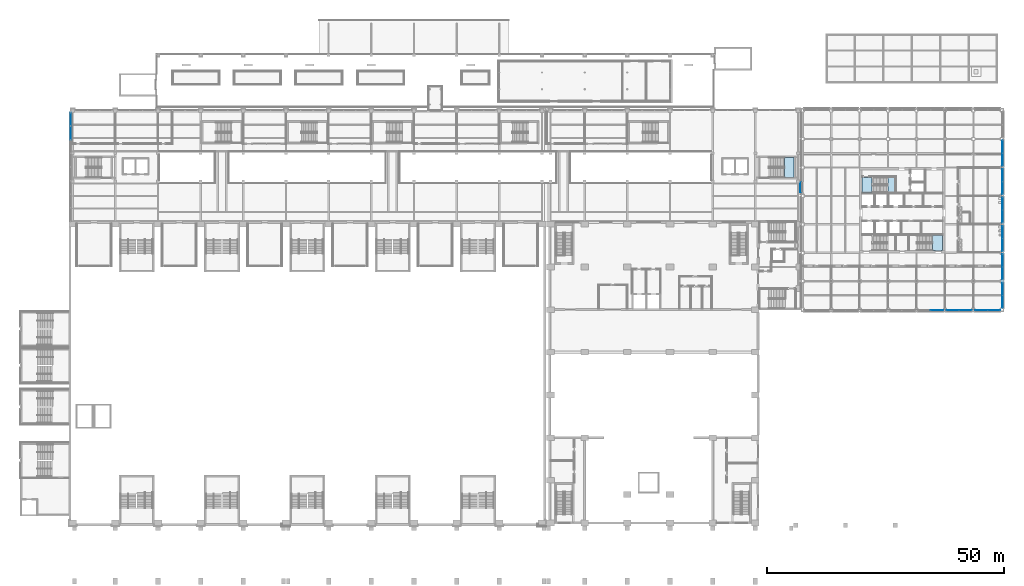
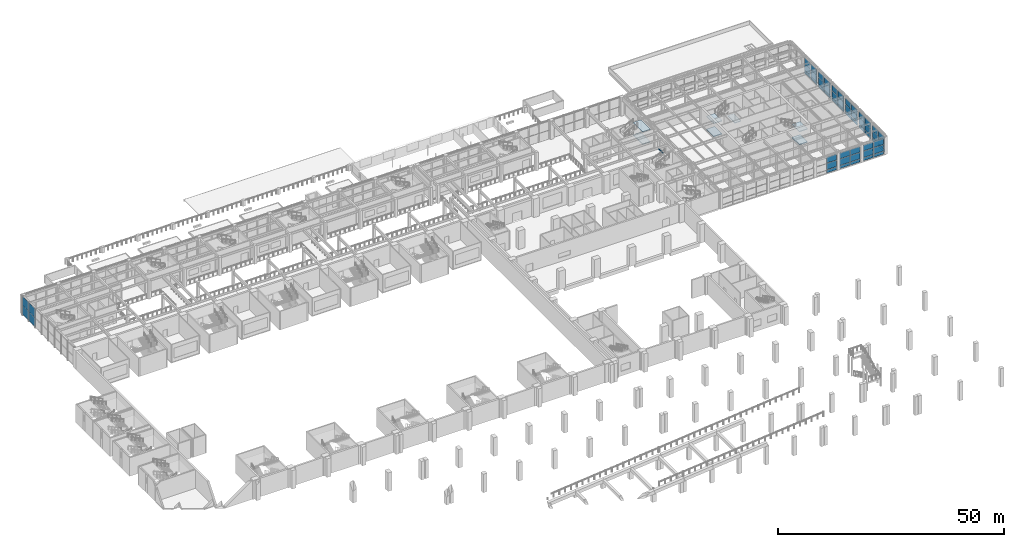
# One storey, part 30 of 67: 56 plates, 7 slabs, 13 elements without a shape of their own.
"""IFC4 building model written with IfcOpenShell, lengths in metres."""

from ifc_helpers import new_model, si_unit, direction, frame, origin, origin_2d, place, context, subcontext, project, spatial, polyline, rectangle, outline, extrude, material, layer, layer_set, type_object, element, aggregate, save


model = new_model("IFC4")

# Units and contexts
model_context = context("Model", 3, precision=1e-05, world=origin(), true_north=direction((0.0, 1.0)))
body_context = subcontext(model_context, "Body", "Model", "MODEL_VIEW")
ifc_project = project(units=[si_unit("LENGTHUNIT", "METRE"), si_unit("AREAUNIT", "SQUARE_METRE"), si_unit("VOLUMEUNIT", "CUBIC_METRE"), si_unit("PLANEANGLEUNIT", "RADIAN"), si_unit("MASSUNIT", "GRAM", prefix="KILO")], contexts=[model_context])

# Site, building, storey
site_placement = place(None, origin())
site = spatial("IfcSite", under=ifc_project, at=site_placement, CompositionType="ELEMENT")
building_placement = place(site_placement, origin())
building = spatial("IfcBuilding", under=site, at=building_placement, Name="Aravalli Gate Trade Fair Centre", CompositionType="ELEMENT")
storey_placement = place(building_placement, frame((0.0, 0.0, 5.0)))
storey = spatial("IfcBuildingStorey", under=building, at=storey_placement, Name="L01", CompositionType="ELEMENT", Elevation=5.0)

# Stair, slabs
ifc_material_1 = material(Name="Concrete M30", Category="concrete")
stair_type_1 = type_object("IfcStairType", Name="Concourse stair, 2000 wide", PredefinedType="HALF_TURN_STAIR", material=ifc_material_1)
stair_1_placement = place(storey_placement, origin())
stair_1 = element("IfcStair", 1, at=stair_1_placement, inside=storey, type_object=stair_type_1, Name="Stair ES L01", PredefinedType="HALF_TURN_STAIR")
ifc_layer_1 = layer(ifc_material_1, 0.199951171875)
ifc_layer_set_1 = layer_set([ifc_layer_1], Name="Concrete M30")
slab_type_1 = type_object("IfcSlabType", Name="Concourse stair landing 200", PredefinedType="LANDING", material=ifc_layer_set_1)
slab_1_placement = place(storey_placement, frame((0.0, 0.0, 1.466796875)))
slab_1 = element("IfcSlab", 2, at=slab_1_placement, type_object=slab_type_1, Name="STES-L01 landing 1", PredefinedType="LANDING", context=body_context, shape_type="SweptSolid", body=[
    extrude(outline(polyline([(156.199951171875, 118.89990234375), (158.199951171875, 118.89990234375), (158.199951171875, 123.10009765625), (156.199951171875, 123.10009765625), (156.199951171875, 118.89990234375)])), origin(), (0.0, 0.0, 1.0), 0.199951171875),
])
slab_2_placement = place(storey_placement, frame((0.0, 0.0, 4.800048828125)))
slab_2 = element("IfcSlab", 3, at=slab_2_placement, type_object=slab_type_1, Name="STES-L01 landing 3", PredefinedType="LANDING", context=body_context, shape_type="SweptSolid", body=[
    extrude(outline(polyline([(156.199951171875, 118.89990234375), (158.199951171875, 118.89990234375), (158.199951171875, 123.10009765625), (156.199951171875, 123.10009765625), (156.199951171875, 118.89990234375)])), origin(), (0.0, 0.0, 1.0), 0.199951171875),
])
aggregate(stair_1, [slab_1, slab_2])

# Curtain wall, plates
ifc_material_2 = material(Name="Aluminium and glass", Category="aluminium")
curtain_wall_type_1 = type_object("IfcCurtainWallType", Name="Curtain wall 3000 module, tall", PredefinedType="NOTDEFINED", material=ifc_material_2)
curtain_wall_1_placement = place(storey_placement, origin())
curtain_wall_1 = element("IfcCurtainWall", 4, at=curtain_wall_1_placement, inside=storey, type_object=curtain_wall_type_1, Name="Curtain wall west end L01", PredefinedType="NOTDEFINED")
ifc_material_3 = material(Name="Glass, double glazed", Category="glass")
ifc_layer_2 = layer(ifc_material_3, 0.028076171875)
ifc_layer_set_2 = layer_set([ifc_layer_2], Name="Glass, double glazed")
plate_type_1 = type_object("IfcPlateType", Name="Curtain wall panel, double glazed 28", PredefinedType="CURTAIN_PANEL", material=ifc_layer_set_2)
plate_1_placement = place(storey_placement, frame((5.574951171875, 128.28759765625, 0.06005859375), z_axis=(0.0, 0.0, 1.0), x_axis=(0.0, 1.0, 0.0)))
plate_1 = element("IfcPlate", 5, at=plate_1_placement, type_object=plate_type_1, Name="CW3 panel 7.1", PredefinedType="CURTAIN_PANEL", context=body_context, shape_type="SweptSolid", body=[
    extrude(rectangle(XDim=2.81494140625, YDim=0.028076171875, at=origin_2d()), origin(), (0.0, 0.0, 1.0), 2.409912109375),
])
plate_2_placement = place(storey_placement, frame((5.574951171875, 128.28759765625, 2.5302734375), z_axis=(0.0, 0.0, 1.0), x_axis=(0.0, 1.0, 0.0)))
plate_2 = element("IfcPlate", 6, at=plate_2_placement, type_object=plate_type_1, Name="CW3 panel 7.2", PredefinedType="CURTAIN_PANEL", context=body_context, shape_type="SweptSolid", body=[
    extrude(rectangle(XDim=2.81494140625, YDim=0.028076171875, at=origin_2d()), origin(), (0.0, 0.0, 1.0), 2.409912109375),
])
plate_3_placement = place(storey_placement, frame((5.574951171875, 131.1474609375, 0.06005859375), z_axis=(0.0, 0.0, 1.0), x_axis=(0.0, 1.0, 0.0)))
plate_3 = element("IfcPlate", 7, at=plate_3_placement, type_object=plate_type_1, Name="CW3 panel 8.1", PredefinedType="CURTAIN_PANEL", context=body_context, shape_type="SweptSolid", body=[
    extrude(rectangle(XDim=2.784912109375, YDim=0.028076171875, at=origin_2d()), origin(), (0.0, 0.0, 1.0), 2.409912109375),
])
plate_4_placement = place(storey_placement, frame((5.574951171875, 131.1474609375, 2.5302734375), z_axis=(0.0, 0.0, 1.0), x_axis=(0.0, 1.0, 0.0)))
plate_4 = element("IfcPlate", 8, at=plate_4_placement, type_object=plate_type_1, Name="CW3 panel 8.2", PredefinedType="CURTAIN_PANEL", context=body_context, shape_type="SweptSolid", body=[
    extrude(rectangle(XDim=2.784912109375, YDim=0.028076171875, at=origin_2d()), origin(), (0.0, 0.0, 1.0), 2.409912109375),
])
aggregate(curtain_wall_1, [plate_1, plate_2, plate_3, plate_4])

# Stair, slabs
stair_type_2 = type_object("IfcStairType", Name="Wing core stair", PredefinedType="HALF_TURN_STAIR", material=ifc_material_1)
stair_2_placement = place(storey_placement, origin())
stair_2 = element("IfcStair", 9, at=stair_2_placement, inside=storey, type_object=stair_type_2, Name="Stair S1 L01", PredefinedType="HALF_TURN_STAIR")
ifc_layer_3 = layer(ifc_material_1, 0.199951171875)
ifc_layer_set_3 = layer_set([ifc_layer_3], Name="Concrete M30")
slab_type_2 = type_object("IfcSlabType", Name="Wing core stair landing 200", PredefinedType="LANDING", material=ifc_layer_set_3)
slab_3_placement = place(storey_placement, frame((0.0, 0.0, -0.199951171875)))
slab_3 = element("IfcSlab", 10, at=slab_3_placement, type_object=slab_type_2, Name="TST1 landing 1", PredefinedType="LANDING", context=body_context, shape_type="SweptSolid", body=[
    extrude(outline(polyline([(187.35009765625, 103.5), (189.5, 103.5), (189.5, 106.699951171875), (187.35009765625, 106.699951171875), (187.35009765625, 103.5)])), origin(), (0.0, 0.0, 1.0), 0.199951171875),
])
slab_4_placement = place(storey_placement, frame((0.0, 0.0, 3.329345703125)))
slab_4 = element("IfcSlab", 11, at=slab_4_placement, type_object=slab_type_2, Name="TST1 landing 3", PredefinedType="LANDING", context=body_context, shape_type="SweptSolid", body=[
    extrude(outline(polyline([(187.35009765625, 103.5), (189.5, 103.5), (189.5, 106.699951171875), (187.35009765625, 106.699951171875), (187.35009765625, 103.5)])), origin(), (0.0, 0.0, 1.0), 0.199951171875),
])
aggregate(stair_2, [slab_3, slab_4])

stair_3_placement = place(storey_placement, origin())
stair_3 = element("IfcStair", 12, at=stair_3_placement, inside=storey, type_object=stair_type_2, Name="Stair FFS L01", PredefinedType="HALF_TURN_STAIR")
slab_5_placement = place(storey_placement, frame((0.0, 0.0, -0.199951171875)))
slab_5 = element("IfcSlab", 13, at=slab_5_placement, type_object=slab_type_2, Name="TST1 landing 1", PredefinedType="LANDING", context=body_context, shape_type="SweptSolid", body=[
    extrude(outline(polyline([(172.5, 115.699951171875), (174.64990234375, 115.699951171875), (174.64990234375, 118.89990234375), (172.5, 118.89990234375), (172.5, 115.699951171875)])), origin(), (0.0, 0.0, 1.0), 0.199951171875),
])
slab_6_placement = place(storey_placement, frame((0.0, 0.0, 1.564697265625)))
slab_6 = element("IfcSlab", 14, at=slab_6_placement, type_object=slab_type_2, Name="TST1 landing 2", PredefinedType="LANDING", context=body_context, shape_type="SweptSolid", body=[
    extrude(outline(polyline([(177.949951171875, 115.699951171875), (179.5, 115.699951171875), (179.5, 118.89990234375), (177.949951171875, 118.89990234375), (177.949951171875, 115.699951171875)])), origin(), (0.0, 0.0, 1.0), 0.199951171875),
])
slab_7_placement = place(storey_placement, frame((0.0, 0.0, 3.329345703125)))
slab_7 = element("IfcSlab", 15, at=slab_7_placement, type_object=slab_type_2, Name="TST1 landing 3", PredefinedType="LANDING", context=body_context, shape_type="SweptSolid", body=[
    extrude(outline(polyline([(172.5, 115.699951171875), (174.64990234375, 115.699951171875), (174.64990234375, 118.89990234375), (172.5, 118.89990234375), (172.5, 115.699951171875)])), origin(), (0.0, 0.0, 1.0), 0.199951171875),
])
aggregate(stair_3, [slab_5, slab_6, slab_7])

# Curtain wall, plates
curtain_wall_type_2 = type_object("IfcCurtainWallType", Name="Wing curtain wall", PredefinedType="NOTDEFINED", material=ifc_material_2)
curtain_wall_2_placement = place(storey_placement, origin())
curtain_wall_2 = element("IfcCurtainWall", 16, at=curtain_wall_2_placement, inside=storey, type_object=curtain_wall_type_2, Name="Curtain wall S4 L01", PredefinedType="NOTDEFINED")
ifc_material_4 = material(Name="Glass", Category="glass")
ifc_layer_4 = layer(ifc_material_4, 0.028076171875)
ifc_layer_set_4 = layer_set([ifc_layer_4], Name="Glass")
plate_type_2 = type_object("IfcPlateType", Name="Wing curtain wall glazing panel 28", PredefinedType="CURTAIN_PANEL", material=ifc_layer_set_4)
plate_5_placement = place(storey_placement, frame((188.3349609375, 90.875, 0.06005859375), z_axis=(0.0, 0.0, 1.0), x_axis=(1.0, 0.0, 0.0)))
plate_5 = element("IfcPlate", 17, at=plate_5_placement, type_object=plate_type_2, Name="TCW1 panel 2.1", PredefinedType="CURTAIN_PANEL", context=body_context, shape_type="SweptSolid", body=[
    extrude(rectangle(XDim=2.610107421875, YDim=0.028076171875, at=origin_2d()), origin(), (0.0, 0.0, 1.0), 0.81005859375),
])
plate_6_placement = place(storey_placement, frame((188.3349609375, 90.875, 0.93017578125), z_axis=(0.0, 0.0, 1.0), x_axis=(1.0, 0.0, 0.0)))
plate_6 = element("IfcPlate", 18, at=plate_6_placement, type_object=plate_type_2, Name="TCW1 panel 2.2", PredefinedType="CURTAIN_PANEL", context=body_context, shape_type="SweptSolid", body=[
    extrude(rectangle(XDim=2.610107421875, YDim=0.028076171875, at=origin_2d()), origin(), (0.0, 0.0, 1.0), 1.739990234375),
])
plate_7_placement = place(storey_placement, frame((188.3349609375, 90.875, 2.72998046875), z_axis=(0.0, 0.0, 1.0), x_axis=(1.0, 0.0, 0.0)))
plate_7 = element("IfcPlate", 19, at=plate_7_placement, type_object=plate_type_2, Name="TCW1 panel 2.3", PredefinedType="CURTAIN_PANEL", context=body_context, shape_type="SweptSolid", body=[
    extrude(rectangle(XDim=2.610107421875, YDim=0.028076171875, at=origin_2d()), origin(), (0.0, 0.0, 1.0), 1.56005859375),
])
aggregate(curtain_wall_2, [plate_5, plate_6, plate_7])

curtain_wall_3_placement = place(storey_placement, origin())
curtain_wall_3 = element("IfcCurtainWall", 20, at=curtain_wall_3_placement, inside=storey, type_object=curtain_wall_type_2, Name="Curtain wall S5 L01", PredefinedType="NOTDEFINED")
plate_8_placement = place(storey_placement, frame((191.6650390625, 90.875, 0.06005859375), z_axis=(0.0, 0.0, 1.0), x_axis=(1.0, 0.0, 0.0)))
plate_8 = element("IfcPlate", 21, at=plate_8_placement, type_object=plate_type_2, Name="TCW1 panel 1.1", PredefinedType="CURTAIN_PANEL", context=body_context, shape_type="SweptSolid", body=[
    extrude(rectangle(XDim=2.610107421875, YDim=0.028076171875, at=origin_2d()), origin(), (0.0, 0.0, 1.0), 0.81005859375),
])
plate_9_placement = place(storey_placement, frame((191.6650390625, 90.875, 0.93017578125), z_axis=(0.0, 0.0, 1.0), x_axis=(1.0, 0.0, 0.0)))
plate_9 = element("IfcPlate", 22, at=plate_9_placement, type_object=plate_type_2, Name="TCW1 panel 1.2", PredefinedType="CURTAIN_PANEL", context=body_context, shape_type="SweptSolid", body=[
    extrude(rectangle(XDim=2.610107421875, YDim=0.028076171875, at=origin_2d()), origin(), (0.0, 0.0, 1.0), 1.739990234375),
])
plate_10_placement = place(storey_placement, frame((191.6650390625, 90.875, 2.72998046875), z_axis=(0.0, 0.0, 1.0), x_axis=(1.0, 0.0, 0.0)))
plate_10 = element("IfcPlate", 23, at=plate_10_placement, type_object=plate_type_2, Name="TCW1 panel 1.3", PredefinedType="CURTAIN_PANEL", context=body_context, shape_type="SweptSolid", body=[
    extrude(rectangle(XDim=2.610107421875, YDim=0.028076171875, at=origin_2d()), origin(), (0.0, 0.0, 1.0), 1.56005859375),
])
plate_11_placement = place(storey_placement, frame((194.3349609375, 90.875, 0.06005859375), z_axis=(0.0, 0.0, 1.0), x_axis=(1.0, 0.0, 0.0)))
plate_11 = element("IfcPlate", 24, at=plate_11_placement, type_object=plate_type_2, Name="TCW1 panel 2.1", PredefinedType="CURTAIN_PANEL", context=body_context, shape_type="SweptSolid", body=[
    extrude(rectangle(XDim=2.610107421875, YDim=0.028076171875, at=origin_2d()), origin(), (0.0, 0.0, 1.0), 0.81005859375),
])
plate_12_placement = place(storey_placement, frame((194.3349609375, 90.875, 0.93017578125), z_axis=(0.0, 0.0, 1.0), x_axis=(1.0, 0.0, 0.0)))
plate_12 = element("IfcPlate", 25, at=plate_12_placement, type_object=plate_type_2, Name="TCW1 panel 2.2", PredefinedType="CURTAIN_PANEL", context=body_context, shape_type="SweptSolid", body=[
    extrude(rectangle(XDim=2.610107421875, YDim=0.028076171875, at=origin_2d()), origin(), (0.0, 0.0, 1.0), 1.739990234375),
])
plate_13_placement = place(storey_placement, frame((194.3349609375, 90.875, 2.72998046875), z_axis=(0.0, 0.0, 1.0), x_axis=(1.0, 0.0, 0.0)))
plate_13 = element("IfcPlate", 26, at=plate_13_placement, type_object=plate_type_2, Name="TCW1 panel 2.3", PredefinedType="CURTAIN_PANEL", context=body_context, shape_type="SweptSolid", body=[
    extrude(rectangle(XDim=2.610107421875, YDim=0.028076171875, at=origin_2d()), origin(), (0.0, 0.0, 1.0), 1.56005859375),
])
aggregate(curtain_wall_3, [plate_8, plate_9, plate_10, plate_11, plate_12, plate_13])

curtain_wall_4_placement = place(storey_placement, origin())
curtain_wall_4 = element("IfcCurtainWall", 27, at=curtain_wall_4_placement, inside=storey, type_object=curtain_wall_type_2, Name="Curtain wall S6 L01", PredefinedType="NOTDEFINED")
plate_14_placement = place(storey_placement, frame((197.6650390625, 90.875, 0.06005859375), z_axis=(0.0, 0.0, 1.0), x_axis=(1.0, 0.0, 0.0)))
plate_14 = element("IfcPlate", 28, at=plate_14_placement, type_object=plate_type_2, Name="TCW1 panel 1.1", PredefinedType="CURTAIN_PANEL", context=body_context, shape_type="SweptSolid", body=[
    extrude(rectangle(XDim=2.610107421875, YDim=0.028076171875, at=origin_2d()), origin(), (0.0, 0.0, 1.0), 0.81005859375),
])
plate_15_placement = place(storey_placement, frame((197.6650390625, 90.875, 0.93017578125), z_axis=(0.0, 0.0, 1.0), x_axis=(1.0, 0.0, 0.0)))
plate_15 = element("IfcPlate", 29, at=plate_15_placement, type_object=plate_type_2, Name="TCW1 panel 1.2", PredefinedType="CURTAIN_PANEL", context=body_context, shape_type="SweptSolid", body=[
    extrude(rectangle(XDim=2.610107421875, YDim=0.028076171875, at=origin_2d()), origin(), (0.0, 0.0, 1.0), 1.739990234375),
])
plate_16_placement = place(storey_placement, frame((197.6650390625, 90.875, 2.72998046875), z_axis=(0.0, 0.0, 1.0), x_axis=(1.0, 0.0, 0.0)))
plate_16 = element("IfcPlate", 30, at=plate_16_placement, type_object=plate_type_2, Name="TCW1 panel 1.3", PredefinedType="CURTAIN_PANEL", context=body_context, shape_type="SweptSolid", body=[
    extrude(rectangle(XDim=2.610107421875, YDim=0.028076171875, at=origin_2d()), origin(), (0.0, 0.0, 1.0), 1.56005859375),
])
plate_17_placement = place(storey_placement, frame((200.3349609375, 90.875, 0.06005859375), z_axis=(0.0, 0.0, 1.0), x_axis=(1.0, 0.0, 0.0)))
plate_17 = element("IfcPlate", 31, at=plate_17_placement, type_object=plate_type_2, Name="TCW1 panel 2.1", PredefinedType="CURTAIN_PANEL", context=body_context, shape_type="SweptSolid", body=[
    extrude(rectangle(XDim=2.610107421875, YDim=0.028076171875, at=origin_2d()), origin(), (0.0, 0.0, 1.0), 0.81005859375),
])
plate_18_placement = place(storey_placement, frame((200.3349609375, 90.875, 0.93017578125), z_axis=(0.0, 0.0, 1.0), x_axis=(1.0, 0.0, 0.0)))
plate_18 = element("IfcPlate", 32, at=plate_18_placement, type_object=plate_type_2, Name="TCW1 panel 2.2", PredefinedType="CURTAIN_PANEL", context=body_context, shape_type="SweptSolid", body=[
    extrude(rectangle(XDim=2.610107421875, YDim=0.028076171875, at=origin_2d()), origin(), (0.0, 0.0, 1.0), 1.739990234375),
])
plate_19_placement = place(storey_placement, frame((200.3349609375, 90.875, 2.72998046875), z_axis=(0.0, 0.0, 1.0), x_axis=(1.0, 0.0, 0.0)))
plate_19 = element("IfcPlate", 33, at=plate_19_placement, type_object=plate_type_2, Name="TCW1 panel 2.3", PredefinedType="CURTAIN_PANEL", context=body_context, shape_type="SweptSolid", body=[
    extrude(rectangle(XDim=2.610107421875, YDim=0.028076171875, at=origin_2d()), origin(), (0.0, 0.0, 1.0), 1.56005859375),
])
aggregate(curtain_wall_4, [plate_14, plate_15, plate_16, plate_17, plate_18, plate_19])

curtain_wall_5_placement = place(storey_placement, origin())
curtain_wall_5 = element("IfcCurtainWall", 34, at=curtain_wall_5_placement, inside=storey, type_object=curtain_wall_type_2, Name="Curtain wall E0 L01", PredefinedType="NOTDEFINED")
plate_20_placement = place(storey_placement, frame((202.125, 92.6650390625, 0.06005859375), z_axis=(0.0, 0.0, 1.0), x_axis=(0.0, 1.0, 0.0)))
plate_20 = element("IfcPlate", 35, at=plate_20_placement, type_object=plate_type_2, Name="TCW1 panel 1.1", PredefinedType="CURTAIN_PANEL", context=body_context, shape_type="SweptSolid", body=[
    extrude(rectangle(XDim=2.610107421875, YDim=0.028076171875, at=origin_2d()), origin(), (0.0, 0.0, 1.0), 0.81005859375),
])
plate_21_placement = place(storey_placement, frame((202.125, 92.6650390625, 0.93017578125), z_axis=(0.0, 0.0, 1.0), x_axis=(0.0, 1.0, 0.0)))
plate_21 = element("IfcPlate", 36, at=plate_21_placement, type_object=plate_type_2, Name="TCW1 panel 1.2", PredefinedType="CURTAIN_PANEL", context=body_context, shape_type="SweptSolid", body=[
    extrude(rectangle(XDim=2.610107421875, YDim=0.028076171875, at=origin_2d()), origin(), (0.0, 0.0, 1.0), 1.739990234375),
])
plate_22_placement = place(storey_placement, frame((202.125, 92.6650390625, 2.72998046875), z_axis=(0.0, 0.0, 1.0), x_axis=(0.0, 1.0, 0.0)))
plate_22 = element("IfcPlate", 37, at=plate_22_placement, type_object=plate_type_2, Name="TCW1 panel 1.3", PredefinedType="CURTAIN_PANEL", context=body_context, shape_type="SweptSolid", body=[
    extrude(rectangle(XDim=2.610107421875, YDim=0.028076171875, at=origin_2d()), origin(), (0.0, 0.0, 1.0), 1.56005859375),
])
plate_23_placement = place(storey_placement, frame((202.125, 95.3349609375, 0.06005859375), z_axis=(0.0, 0.0, 1.0), x_axis=(0.0, 1.0, 0.0)))
plate_23 = element("IfcPlate", 38, at=plate_23_placement, type_object=plate_type_2, Name="TCW1 panel 2.1", PredefinedType="CURTAIN_PANEL", context=body_context, shape_type="SweptSolid", body=[
    extrude(rectangle(XDim=2.610107421875, YDim=0.028076171875, at=origin_2d()), origin(), (0.0, 0.0, 1.0), 0.81005859375),
])
plate_24_placement = place(storey_placement, frame((202.125, 95.3349609375, 0.93017578125), z_axis=(0.0, 0.0, 1.0), x_axis=(0.0, 1.0, 0.0)))
plate_24 = element("IfcPlate", 39, at=plate_24_placement, type_object=plate_type_2, Name="TCW1 panel 2.2", PredefinedType="CURTAIN_PANEL", context=body_context, shape_type="SweptSolid", body=[
    extrude(rectangle(XDim=2.610107421875, YDim=0.028076171875, at=origin_2d()), origin(), (0.0, 0.0, 1.0), 1.739990234375),
])
plate_25_placement = place(storey_placement, frame((202.125, 95.3349609375, 2.72998046875), z_axis=(0.0, 0.0, 1.0), x_axis=(0.0, 1.0, 0.0)))
plate_25 = element("IfcPlate", 40, at=plate_25_placement, type_object=plate_type_2, Name="TCW1 panel 2.3", PredefinedType="CURTAIN_PANEL", context=body_context, shape_type="SweptSolid", body=[
    extrude(rectangle(XDim=2.610107421875, YDim=0.028076171875, at=origin_2d()), origin(), (0.0, 0.0, 1.0), 1.56005859375),
])
aggregate(curtain_wall_5, [plate_20, plate_21, plate_22, plate_23, plate_24, plate_25])

curtain_wall_6_placement = place(storey_placement, origin())
curtain_wall_6 = element("IfcCurtainWall", 41, at=curtain_wall_6_placement, inside=storey, type_object=curtain_wall_type_2, Name="Curtain wall E1 L01", PredefinedType="NOTDEFINED")
plate_26_placement = place(storey_placement, frame((202.125, 98.6650390625, 0.06005859375), z_axis=(0.0, 0.0, 1.0), x_axis=(0.0, 1.0, 0.0)))
plate_26 = element("IfcPlate", 42, at=plate_26_placement, type_object=plate_type_2, Name="TCW1 panel 1.1", PredefinedType="CURTAIN_PANEL", context=body_context, shape_type="SweptSolid", body=[
    extrude(rectangle(XDim=2.610107421875, YDim=0.028076171875, at=origin_2d()), origin(), (0.0, 0.0, 1.0), 0.81005859375),
])
plate_27_placement = place(storey_placement, frame((202.125, 98.6650390625, 0.93017578125), z_axis=(0.0, 0.0, 1.0), x_axis=(0.0, 1.0, 0.0)))
plate_27 = element("IfcPlate", 43, at=plate_27_placement, type_object=plate_type_2, Name="TCW1 panel 1.2", PredefinedType="CURTAIN_PANEL", context=body_context, shape_type="SweptSolid", body=[
    extrude(rectangle(XDim=2.610107421875, YDim=0.028076171875, at=origin_2d()), origin(), (0.0, 0.0, 1.0), 1.739990234375),
])
plate_28_placement = place(storey_placement, frame((202.125, 98.6650390625, 2.72998046875), z_axis=(0.0, 0.0, 1.0), x_axis=(0.0, 1.0, 0.0)))
plate_28 = element("IfcPlate", 44, at=plate_28_placement, type_object=plate_type_2, Name="TCW1 panel 1.3", PredefinedType="CURTAIN_PANEL", context=body_context, shape_type="SweptSolid", body=[
    extrude(rectangle(XDim=2.610107421875, YDim=0.028076171875, at=origin_2d()), origin(), (0.0, 0.0, 1.0), 1.56005859375),
])
plate_29_placement = place(storey_placement, frame((202.125, 101.3349609375, 0.06005859375), z_axis=(0.0, 0.0, 1.0), x_axis=(0.0, 1.0, 0.0)))
plate_29 = element("IfcPlate", 45, at=plate_29_placement, type_object=plate_type_2, Name="TCW1 panel 2.1", PredefinedType="CURTAIN_PANEL", context=body_context, shape_type="SweptSolid", body=[
    extrude(rectangle(XDim=2.610107421875, YDim=0.028076171875, at=origin_2d()), origin(), (0.0, 0.0, 1.0), 0.81005859375),
])
plate_30_placement = place(storey_placement, frame((202.125, 101.3349609375, 0.93017578125), z_axis=(0.0, 0.0, 1.0), x_axis=(0.0, 1.0, 0.0)))
plate_30 = element("IfcPlate", 46, at=plate_30_placement, type_object=plate_type_2, Name="TCW1 panel 2.2", PredefinedType="CURTAIN_PANEL", context=body_context, shape_type="SweptSolid", body=[
    extrude(rectangle(XDim=2.610107421875, YDim=0.028076171875, at=origin_2d()), origin(), (0.0, 0.0, 1.0), 1.739990234375),
])
plate_31_placement = place(storey_placement, frame((202.125, 101.3349609375, 2.72998046875), z_axis=(0.0, 0.0, 1.0), x_axis=(0.0, 1.0, 0.0)))
plate_31 = element("IfcPlate", 47, at=plate_31_placement, type_object=plate_type_2, Name="TCW1 panel 2.3", PredefinedType="CURTAIN_PANEL", context=body_context, shape_type="SweptSolid", body=[
    extrude(rectangle(XDim=2.610107421875, YDim=0.028076171875, at=origin_2d()), origin(), (0.0, 0.0, 1.0), 1.56005859375),
])
aggregate(curtain_wall_6, [plate_26, plate_27, plate_28, plate_29, plate_30, plate_31])

curtain_wall_7_placement = place(storey_placement, origin())
curtain_wall_7 = element("IfcCurtainWall", 48, at=curtain_wall_7_placement, inside=storey, type_object=curtain_wall_type_2, Name="Curtain wall E2 L01", PredefinedType="NOTDEFINED")
plate_32_placement = place(storey_placement, frame((202.125, 104.6650390625, 0.06005859375), z_axis=(0.0, 0.0, 1.0), x_axis=(0.0, 1.0, 0.0)))
plate_32 = element("IfcPlate", 49, at=plate_32_placement, type_object=plate_type_2, Name="TCW1 panel 1.1", PredefinedType="CURTAIN_PANEL", context=body_context, shape_type="SweptSolid", body=[
    extrude(rectangle(XDim=2.610107421875, YDim=0.028076171875, at=origin_2d()), origin(), (0.0, 0.0, 1.0), 0.81005859375),
])
plate_33_placement = place(storey_placement, frame((202.125, 104.6650390625, 0.93017578125), z_axis=(0.0, 0.0, 1.0), x_axis=(0.0, 1.0, 0.0)))
plate_33 = element("IfcPlate", 50, at=plate_33_placement, type_object=plate_type_2, Name="TCW1 panel 1.2", PredefinedType="CURTAIN_PANEL", context=body_context, shape_type="SweptSolid", body=[
    extrude(rectangle(XDim=2.610107421875, YDim=0.028076171875, at=origin_2d()), origin(), (0.0, 0.0, 1.0), 1.739990234375),
])
plate_34_placement = place(storey_placement, frame((202.125, 104.6650390625, 2.72998046875), z_axis=(0.0, 0.0, 1.0), x_axis=(0.0, 1.0, 0.0)))
plate_34 = element("IfcPlate", 51, at=plate_34_placement, type_object=plate_type_2, Name="TCW1 panel 1.3", PredefinedType="CURTAIN_PANEL", context=body_context, shape_type="SweptSolid", body=[
    extrude(rectangle(XDim=2.610107421875, YDim=0.028076171875, at=origin_2d()), origin(), (0.0, 0.0, 1.0), 1.56005859375),
])
plate_35_placement = place(storey_placement, frame((202.125, 107.3349609375, 0.06005859375), z_axis=(0.0, 0.0, 1.0), x_axis=(0.0, 1.0, 0.0)))
plate_35 = element("IfcPlate", 52, at=plate_35_placement, type_object=plate_type_2, Name="TCW1 panel 2.1", PredefinedType="CURTAIN_PANEL", context=body_context, shape_type="SweptSolid", body=[
    extrude(rectangle(XDim=2.610107421875, YDim=0.028076171875, at=origin_2d()), origin(), (0.0, 0.0, 1.0), 0.81005859375),
])
plate_36_placement = place(storey_placement, frame((202.125, 107.3349609375, 0.93017578125), z_axis=(0.0, 0.0, 1.0), x_axis=(0.0, 1.0, 0.0)))
plate_36 = element("IfcPlate", 53, at=plate_36_placement, type_object=plate_type_2, Name="TCW1 panel 2.2", PredefinedType="CURTAIN_PANEL", context=body_context, shape_type="SweptSolid", body=[
    extrude(rectangle(XDim=2.610107421875, YDim=0.028076171875, at=origin_2d()), origin(), (0.0, 0.0, 1.0), 1.739990234375),
])
plate_37_placement = place(storey_placement, frame((202.125, 107.3349609375, 2.72998046875), z_axis=(0.0, 0.0, 1.0), x_axis=(0.0, 1.0, 0.0)))
plate_37 = element("IfcPlate", 54, at=plate_37_placement, type_object=plate_type_2, Name="TCW1 panel 2.3", PredefinedType="CURTAIN_PANEL", context=body_context, shape_type="SweptSolid", body=[
    extrude(rectangle(XDim=2.610107421875, YDim=0.028076171875, at=origin_2d()), origin(), (0.0, 0.0, 1.0), 1.56005859375),
])
aggregate(curtain_wall_7, [plate_32, plate_33, plate_34, plate_35, plate_36, plate_37])

curtain_wall_8_placement = place(storey_placement, origin())
curtain_wall_8 = element("IfcCurtainWall", 55, at=curtain_wall_8_placement, inside=storey, type_object=curtain_wall_type_2, Name="Curtain wall E3 L01", PredefinedType="NOTDEFINED")
plate_38_placement = place(storey_placement, frame((202.125, 110.6650390625, 0.06005859375), z_axis=(0.0, 0.0, 1.0), x_axis=(0.0, 1.0, 0.0)))
plate_38 = element("IfcPlate", 56, at=plate_38_placement, type_object=plate_type_2, Name="TCW1 panel 1.1", PredefinedType="CURTAIN_PANEL", context=body_context, shape_type="SweptSolid", body=[
    extrude(rectangle(XDim=2.610107421875, YDim=0.028076171875, at=origin_2d()), origin(), (0.0, 0.0, 1.0), 0.81005859375),
])
plate_39_placement = place(storey_placement, frame((202.125, 110.6650390625, 0.93017578125), z_axis=(0.0, 0.0, 1.0), x_axis=(0.0, 1.0, 0.0)))
plate_39 = element("IfcPlate", 57, at=plate_39_placement, type_object=plate_type_2, Name="TCW1 panel 1.2", PredefinedType="CURTAIN_PANEL", context=body_context, shape_type="SweptSolid", body=[
    extrude(rectangle(XDim=2.610107421875, YDim=0.028076171875, at=origin_2d()), origin(), (0.0, 0.0, 1.0), 1.739990234375),
])
plate_40_placement = place(storey_placement, frame((202.125, 110.6650390625, 2.72998046875), z_axis=(0.0, 0.0, 1.0), x_axis=(0.0, 1.0, 0.0)))
plate_40 = element("IfcPlate", 58, at=plate_40_placement, type_object=plate_type_2, Name="TCW1 panel 1.3", PredefinedType="CURTAIN_PANEL", context=body_context, shape_type="SweptSolid", body=[
    extrude(rectangle(XDim=2.610107421875, YDim=0.028076171875, at=origin_2d()), origin(), (0.0, 0.0, 1.0), 1.56005859375),
])
plate_41_placement = place(storey_placement, frame((202.125, 113.3349609375, 0.06005859375), z_axis=(0.0, 0.0, 1.0), x_axis=(0.0, 1.0, 0.0)))
plate_41 = element("IfcPlate", 59, at=plate_41_placement, type_object=plate_type_2, Name="TCW1 panel 2.1", PredefinedType="CURTAIN_PANEL", context=body_context, shape_type="SweptSolid", body=[
    extrude(rectangle(XDim=2.610107421875, YDim=0.028076171875, at=origin_2d()), origin(), (0.0, 0.0, 1.0), 0.81005859375),
])
plate_42_placement = place(storey_placement, frame((202.125, 113.3349609375, 0.93017578125), z_axis=(0.0, 0.0, 1.0), x_axis=(0.0, 1.0, 0.0)))
plate_42 = element("IfcPlate", 60, at=plate_42_placement, type_object=plate_type_2, Name="TCW1 panel 2.2", PredefinedType="CURTAIN_PANEL", context=body_context, shape_type="SweptSolid", body=[
    extrude(rectangle(XDim=2.610107421875, YDim=0.028076171875, at=origin_2d()), origin(), (0.0, 0.0, 1.0), 1.739990234375),
])
plate_43_placement = place(storey_placement, frame((202.125, 113.3349609375, 2.72998046875), z_axis=(0.0, 0.0, 1.0), x_axis=(0.0, 1.0, 0.0)))
plate_43 = element("IfcPlate", 61, at=plate_43_placement, type_object=plate_type_2, Name="TCW1 panel 2.3", PredefinedType="CURTAIN_PANEL", context=body_context, shape_type="SweptSolid", body=[
    extrude(rectangle(XDim=2.610107421875, YDim=0.028076171875, at=origin_2d()), origin(), (0.0, 0.0, 1.0), 1.56005859375),
])
aggregate(curtain_wall_8, [plate_38, plate_39, plate_40, plate_41, plate_42, plate_43])

curtain_wall_9_placement = place(storey_placement, origin())
curtain_wall_9 = element("IfcCurtainWall", 62, at=curtain_wall_9_placement, inside=storey, type_object=curtain_wall_type_2, Name="Curtain wall E4 L01", PredefinedType="NOTDEFINED")
plate_44_placement = place(storey_placement, frame((202.125, 116.6650390625, 0.06005859375), z_axis=(0.0, 0.0, 1.0), x_axis=(0.0, 1.0, 0.0)))
plate_44 = element("IfcPlate", 63, at=plate_44_placement, type_object=plate_type_2, Name="TCW1 panel 1.1", PredefinedType="CURTAIN_PANEL", context=body_context, shape_type="SweptSolid", body=[
    extrude(rectangle(XDim=2.610107421875, YDim=0.028076171875, at=origin_2d()), origin(), (0.0, 0.0, 1.0), 0.81005859375),
])
plate_45_placement = place(storey_placement, frame((202.125, 116.6650390625, 0.93017578125), z_axis=(0.0, 0.0, 1.0), x_axis=(0.0, 1.0, 0.0)))
plate_45 = element("IfcPlate", 64, at=plate_45_placement, type_object=plate_type_2, Name="TCW1 panel 1.2", PredefinedType="CURTAIN_PANEL", context=body_context, shape_type="SweptSolid", body=[
    extrude(rectangle(XDim=2.610107421875, YDim=0.028076171875, at=origin_2d()), origin(), (0.0, 0.0, 1.0), 1.739990234375),
])
plate_46_placement = place(storey_placement, frame((202.125, 116.6650390625, 2.72998046875), z_axis=(0.0, 0.0, 1.0), x_axis=(0.0, 1.0, 0.0)))
plate_46 = element("IfcPlate", 65, at=plate_46_placement, type_object=plate_type_2, Name="TCW1 panel 1.3", PredefinedType="CURTAIN_PANEL", context=body_context, shape_type="SweptSolid", body=[
    extrude(rectangle(XDim=2.610107421875, YDim=0.028076171875, at=origin_2d()), origin(), (0.0, 0.0, 1.0), 1.56005859375),
])
plate_47_placement = place(storey_placement, frame((202.125, 119.3349609375, 0.06005859375), z_axis=(0.0, 0.0, 1.0), x_axis=(0.0, 1.0, 0.0)))
plate_47 = element("IfcPlate", 66, at=plate_47_placement, type_object=plate_type_2, Name="TCW1 panel 2.1", PredefinedType="CURTAIN_PANEL", context=body_context, shape_type="SweptSolid", body=[
    extrude(rectangle(XDim=2.610107421875, YDim=0.028076171875, at=origin_2d()), origin(), (0.0, 0.0, 1.0), 0.81005859375),
])
plate_48_placement = place(storey_placement, frame((202.125, 119.3349609375, 0.93017578125), z_axis=(0.0, 0.0, 1.0), x_axis=(0.0, 1.0, 0.0)))
plate_48 = element("IfcPlate", 67, at=plate_48_placement, type_object=plate_type_2, Name="TCW1 panel 2.2", PredefinedType="CURTAIN_PANEL", context=body_context, shape_type="SweptSolid", body=[
    extrude(rectangle(XDim=2.610107421875, YDim=0.028076171875, at=origin_2d()), origin(), (0.0, 0.0, 1.0), 1.739990234375),
])
plate_49_placement = place(storey_placement, frame((202.125, 119.3349609375, 2.72998046875), z_axis=(0.0, 0.0, 1.0), x_axis=(0.0, 1.0, 0.0)))
plate_49 = element("IfcPlate", 68, at=plate_49_placement, type_object=plate_type_2, Name="TCW1 panel 2.3", PredefinedType="CURTAIN_PANEL", context=body_context, shape_type="SweptSolid", body=[
    extrude(rectangle(XDim=2.610107421875, YDim=0.028076171875, at=origin_2d()), origin(), (0.0, 0.0, 1.0), 1.56005859375),
])
aggregate(curtain_wall_9, [plate_44, plate_45, plate_46, plate_47, plate_48, plate_49])

curtain_wall_10_placement = place(storey_placement, origin())
curtain_wall_10 = element("IfcCurtainWall", 69, at=curtain_wall_10_placement, inside=storey, type_object=curtain_wall_type_2, Name="Curtain wall E5 L01", PredefinedType="NOTDEFINED")
plate_50_placement = place(storey_placement, frame((202.125, 122.6650390625, 0.06005859375), z_axis=(0.0, 0.0, 1.0), x_axis=(0.0, 1.0, 0.0)))
plate_50 = element("IfcPlate", 70, at=plate_50_placement, type_object=plate_type_2, Name="TCW1 panel 1.1", PredefinedType="CURTAIN_PANEL", context=body_context, shape_type="SweptSolid", body=[
    extrude(rectangle(XDim=2.610107421875, YDim=0.028076171875, at=origin_2d()), origin(), (0.0, 0.0, 1.0), 0.81005859375),
])
plate_51_placement = place(storey_placement, frame((202.125, 122.6650390625, 0.93017578125), z_axis=(0.0, 0.0, 1.0), x_axis=(0.0, 1.0, 0.0)))
plate_51 = element("IfcPlate", 71, at=plate_51_placement, type_object=plate_type_2, Name="TCW1 panel 1.2", PredefinedType="CURTAIN_PANEL", context=body_context, shape_type="SweptSolid", body=[
    extrude(rectangle(XDim=2.610107421875, YDim=0.028076171875, at=origin_2d()), origin(), (0.0, 0.0, 1.0), 1.739990234375),
])
plate_52_placement = place(storey_placement, frame((202.125, 122.6650390625, 2.72998046875), z_axis=(0.0, 0.0, 1.0), x_axis=(0.0, 1.0, 0.0)))
plate_52 = element("IfcPlate", 72, at=plate_52_placement, type_object=plate_type_2, Name="TCW1 panel 1.3", PredefinedType="CURTAIN_PANEL", context=body_context, shape_type="SweptSolid", body=[
    extrude(rectangle(XDim=2.610107421875, YDim=0.028076171875, at=origin_2d()), origin(), (0.0, 0.0, 1.0), 1.56005859375),
])
plate_53_placement = place(storey_placement, frame((202.125, 125.3349609375, 0.06005859375), z_axis=(0.0, 0.0, 1.0), x_axis=(0.0, 1.0, 0.0)))
plate_53 = element("IfcPlate", 73, at=plate_53_placement, type_object=plate_type_2, Name="TCW1 panel 2.1", PredefinedType="CURTAIN_PANEL", context=body_context, shape_type="SweptSolid", body=[
    extrude(rectangle(XDim=2.610107421875, YDim=0.028076171875, at=origin_2d()), origin(), (0.0, 0.0, 1.0), 0.81005859375),
])
plate_54_placement = place(storey_placement, frame((202.125, 125.3349609375, 0.93017578125), z_axis=(0.0, 0.0, 1.0), x_axis=(0.0, 1.0, 0.0)))
plate_54 = element("IfcPlate", 74, at=plate_54_placement, type_object=plate_type_2, Name="TCW1 panel 2.2", PredefinedType="CURTAIN_PANEL", context=body_context, shape_type="SweptSolid", body=[
    extrude(rectangle(XDim=2.610107421875, YDim=0.028076171875, at=origin_2d()), origin(), (0.0, 0.0, 1.0), 1.739990234375),
])
plate_55_placement = place(storey_placement, frame((202.125, 125.3349609375, 2.72998046875), z_axis=(0.0, 0.0, 1.0), x_axis=(0.0, 1.0, 0.0)))
plate_55 = element("IfcPlate", 75, at=plate_55_placement, type_object=plate_type_2, Name="TCW1 panel 2.3", PredefinedType="CURTAIN_PANEL", context=body_context, shape_type="SweptSolid", body=[
    extrude(rectangle(XDim=2.610107421875, YDim=0.028076171875, at=origin_2d()), origin(), (0.0, 0.0, 1.0), 1.56005859375),
])
aggregate(curtain_wall_10, [plate_50, plate_51, plate_52, plate_53, plate_54, plate_55])

# Plate
ifc_material_5 = material(Name="Steel E350", Category="steel")
ifc_layer_5 = layer(ifc_material_5, 0.199951171875)
ifc_layer_set_5 = layer_set([ifc_layer_5], Name="Steel E350")
plate_type_3 = type_object("IfcPlateType", Name="Wing joint cover plate 300", PredefinedType="SHEET", material=ifc_layer_set_5)
plate_56_placement = place(storey_placement, frame((0.0, 0.0, -0.199951171875)))
element("IfcPlate", 76, at=plate_56_placement, inside=storey, type_object=plate_type_3, Name="Joint cover plate T-L01-182", PredefinedType="SHEET", context=body_context, shape_type="SweptSolid", body=[
    extrude(outline(polyline([(159.5, 115.800048828125), (159.695068359375, 115.800048828125), (159.695068359375, 117.800048828125), (159.5, 117.800048828125), (159.5, 115.800048828125)])), origin(), (0.0, 0.0, 1.0), 0.199951171875),
])

save(model, "model.ifc")
